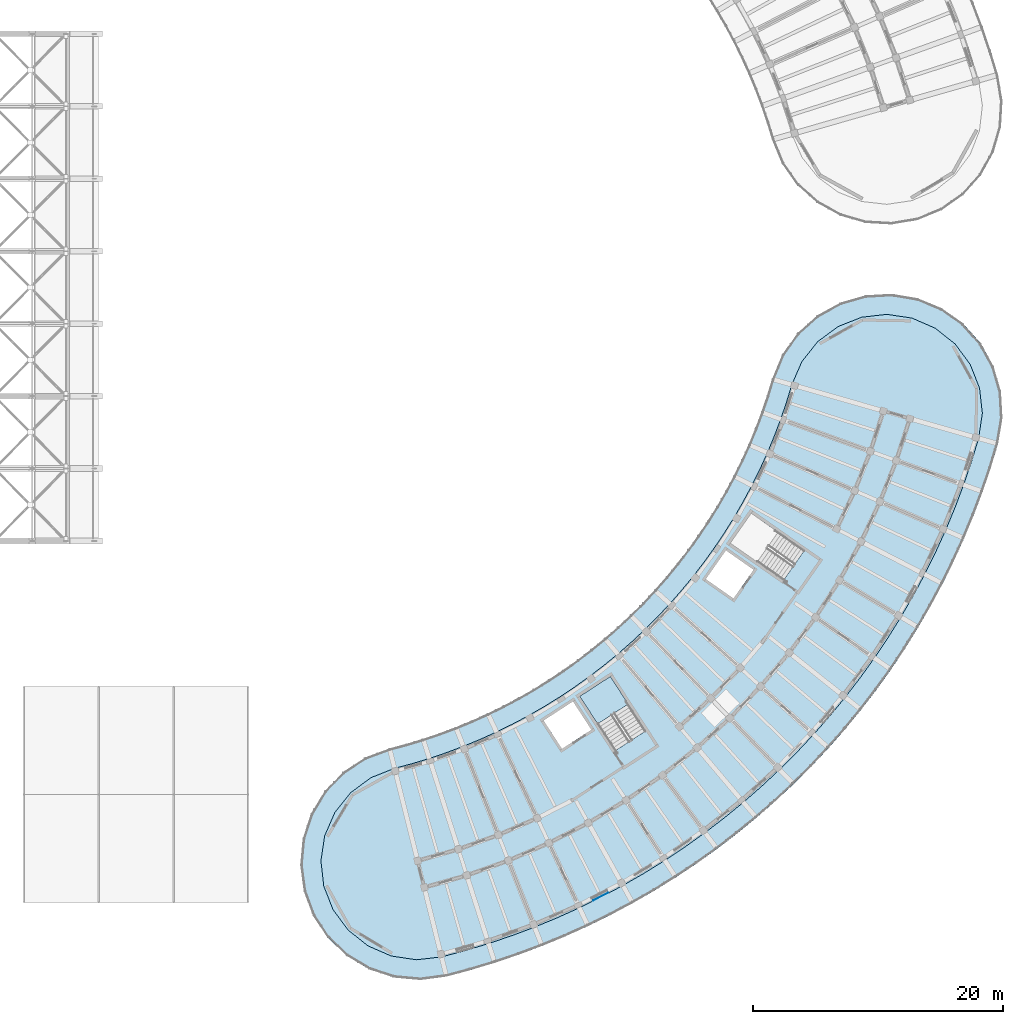
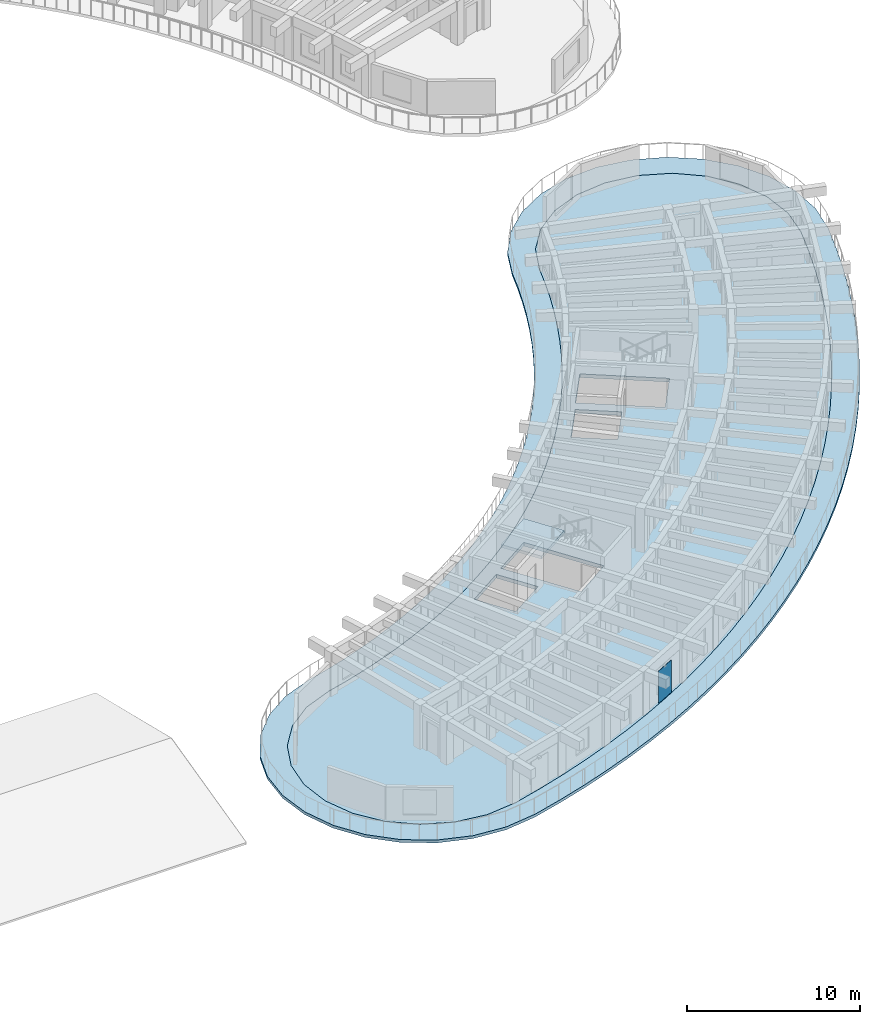
# One storey, part 30 of 81: 3 slabs, 1 plate, 1 element without a shape of its own.
"""IFC4 building model written with IfcOpenShell, lengths in metres."""

from ifc_helpers import new_model, si_unit, direction, frame, origin, origin_2d, place, context, subcontext, project, spatial, polyline, rectangle, outline, extrude, material, layer, layer_set, type_object, element, aggregate, save


model = new_model("IFC4")

# Units and contexts
model_context = context("Model", 3, precision=1e-05, world=origin(), true_north=direction((0.0, 1.0)))
body_context = subcontext(model_context, "Body", "Model", "MODEL_VIEW")
ifc_project = project(units=[si_unit("LENGTHUNIT", "METRE"), si_unit("AREAUNIT", "SQUARE_METRE"), si_unit("VOLUMEUNIT", "CUBIC_METRE"), si_unit("PLANEANGLEUNIT", "RADIAN"), si_unit("MASSUNIT", "GRAM", prefix="KILO")], contexts=[model_context])

# Site, building, storey
site_placement = place(None, origin())
site = spatial("IfcSite", under=ifc_project, at=site_placement, CompositionType="ELEMENT")
building_placement = place(site_placement, origin())
building = spatial("IfcBuilding", under=site, at=building_placement, Name="Tanwirah Colonnade Gardens", CompositionType="ELEMENT")
storey_placement = place(building_placement, frame((0.0, 0.0, 8.840087890625)))
storey = spatial("IfcBuildingStorey", under=building, at=storey_placement, Name="L02", CompositionType="ELEMENT", Elevation=8.840087890625)

# Plate
ifc_material_1 = material(Name="Laser-cut bronze aluminium solar screen plate", Category="aluminium")
ifc_layer_1 = layer(ifc_material_1, 0.02001953125)
ifc_layer_set_1 = layer_set([ifc_layer_1], Name="Laser-cut bronze aluminium solar screen plate")
plate_type = type_object("IfcPlateType", Name="PLT-SCR20", PredefinedType="SHEET", material=ifc_layer_set_1)
plate_placement = place(storey_placement, frame((148.1943359375, 11.316162109375, 0.0), z_axis=(0.0, 0.0, 1.0), x_axis=(0.890014924435, 0.455931392078, 0.0)))
element("IfcPlate", 1, at=plate_placement, inside=storey, type_object=plate_type, Name="Perforated solar screen plate D-L02-03", PredefinedType="SHEET", context=body_context, shape_type="SweptSolid", body=[
    extrude(rectangle(XDim=1.35009765625, YDim=0.02001953125, at=origin_2d()), origin(), (0.0, 0.0, 1.0), 2.284912109375),
])

# Slab
ifc_material_2 = material(Name="White architectural precast concrete C40/50", Category="concrete")
ifc_layer_2 = layer(ifc_material_2, 0.199951171875)
ifc_layer_set_2 = layer_set([ifc_layer_2], Name="White architectural precast concrete C40/50")
slab_type_1 = type_object("IfcSlabType", Name="SL-BAL-200", PredefinedType="FLOOR", material=ifc_layer_set_2)
slab_1_placement = place(storey_placement, frame((0.0, 0.0, -0.2001953125)))
element("IfcSlab", 2, at=slab_1_placement, inside=storey, type_object=slab_type_1, Name="Block D L02 Continuous White Balcony Ribbon", PredefinedType="FLOOR", context=body_context, shape_type="SweptSolid", body=[
    extrude(outline(polyline([(129.333251953125, 22.4306640625), (127.57373046875, 21.275390625), (126.115234375, 19.757568359375), (125.03125, 17.953369140625), (124.375732421875, 15.953125), (124.181884765625, 13.857177734375), (124.459228515625, 11.7705078125), (125.19384765625, 9.798095703125), (126.34912109375, 8.038330078125), (127.866943359375, 6.580078125), (129.671142578125, 5.495849609375), (131.67138671875, 4.84033203125), (133.767333984375, 4.646484375), (135.85400390625, 4.923828125), (137.79541015625, 5.441650390625), (139.71875, 6.02294921875), (141.6220703125, 6.666748046875), (143.503173828125, 7.372314453125), (145.3603515625, 8.13916015625), (147.19140625, 8.966552734375), (148.994384765625, 9.85302734375), (150.767333984375, 10.79833984375), (152.508544921875, 11.801025390625), (154.2158203125, 12.860107421875), (155.8876953125, 13.974609375), (157.522216796875, 15.143310546875), (159.117431640625, 16.364501953125), (160.672119140625, 17.637451171875), (162.18408203125, 18.960693359375), (163.652099609375, 20.33251953125), (165.07421875, 21.751708984375), (166.449462890625, 23.216796875), (167.77587890625, 24.725830078125), (169.05224609375, 26.277587890625), (170.277099609375, 27.870361328125), (171.44921875, 29.502197265625), (172.567138671875, 31.171630859375), (173.630126953125, 32.876708984375), (174.636474609375, 34.61572265625), (175.585693359375, 36.386474609375), (176.476318359375, 38.1875), (177.307373046875, 40.016845703125), (178.078369140625, 41.872314453125), (178.7880859375, 43.751953125), (179.43603515625, 45.65380859375), (180.021484375, 47.575927734375), (180.37158203125, 49.651611328125), (180.250732421875, 51.7529296875), (179.66552734375, 53.77490234375), (178.64501953125, 55.615966796875), (177.240478515625, 57.18359375), (175.522216796875, 58.399658203125), (173.57666015625, 59.20263671875), (171.5009765625, 59.552734375), (169.3994140625, 59.43212890625), (167.37744140625, 58.846923828125), (165.53662109375, 57.826416015625), (163.96875, 56.421875), (162.7529296875, 54.70361328125), (161.94970703125, 52.7578125), (161.543701171875, 51.42431640625), (161.093994140625, 50.104736328125), (160.6015625, 48.800537109375), (160.066650390625, 47.51318359375), (159.489990234375, 46.244140625), (158.8720703125, 44.99462890625), (158.213623046875, 43.765869140625), (157.515380859375, 42.559326171875), (156.77783203125, 41.37646484375), (156.002197265625, 40.218017578125), (155.18896484375, 39.0859375), (154.339111328125, 37.98095703125), (153.45361328125, 36.904296875), (152.533203125, 35.857177734375), (151.579345703125, 34.8408203125), (150.592529296875, 33.856201171875), (149.573974609375, 32.904296875), (148.52490234375, 31.986328125), (147.4462890625, 31.10302734375), (146.33935546875, 30.255615234375), (145.205322265625, 29.445068359375), (144.04541015625, 28.671630859375), (142.86083984375, 27.93701171875), (141.65283203125, 27.2412109375), (140.4228515625, 26.58544921875), (139.171875, 25.97021484375), (137.9013671875, 25.396240234375), (136.613037109375, 24.8642578125), (135.307861328125, 24.37451171875), (133.9873046875, 23.927978515625), (132.65283203125, 23.524658203125), (131.305908203125, 23.165283203125), (129.333251953125, 22.4306640625)]), holes=[polyline([(129.80810546875, 20.84912109375), (131.69921875, 21.593994140625), (133.095703125, 21.966552734375), (133.09619140625, 21.966552734375), (134.480712890625, 22.385009765625), (134.4814453125, 22.38525390625), (135.8515625, 22.8486328125), (135.85205078125, 22.848876953125), (137.206298828125, 23.35693359375), (137.20703125, 23.357177734375), (138.5439453125, 23.9091796875), (138.54443359375, 23.909423828125), (139.862548828125, 24.5048828125), (139.86328125, 24.505126953125), (141.1611328125, 25.1435546875), (141.16162109375, 25.143798828125), (142.43798828125, 25.82421875), (142.4384765625, 25.824462890625), (143.69189453125, 26.54638671875), (143.692626953125, 26.546630859375), (144.921630859375, 27.30908203125), (144.922119140625, 27.309326171875), (146.125732421875, 28.111572265625), (146.126220703125, 28.112060546875), (147.302734375, 28.953369140625), (147.30322265625, 28.95361328125), (148.45166015625, 29.8330078125), (148.452392578125, 29.833251953125), (149.5712890625, 30.749755859375), (149.57177734375, 30.75), (150.660400390625, 31.70263671875), (150.660888671875, 31.702880859375), (151.717529296875, 32.690673828125), (151.718017578125, 32.69091796875), (152.741943359375, 33.712646484375), (152.742431640625, 33.713134765625), (153.732177734375, 34.767578125), (153.732666015625, 34.76806640625), (154.6875, 35.8544921875), (154.68798828125, 35.85498046875), (155.606689453125, 36.97216796875), (155.607177734375, 36.97265625), (156.48876953125, 38.119140625), (156.4892578125, 38.11962890625), (157.3330078125, 39.29443359375), (157.33349609375, 39.294921875), (158.13818359375, 40.496826171875), (158.138671875, 40.497314453125), (158.90380859375, 41.724853515625), (158.904052734375, 41.725341796875), (159.628662109375, 42.97705078125), (159.62890625, 42.977783203125), (160.312255859375, 44.25244140625), (160.3125, 44.253173828125), (160.95361328125, 45.549560546875), (160.953857421875, 45.55029296875), (161.55224609375, 46.866943359375), (161.552490234375, 46.86767578125), (162.107421875, 48.203369140625), (162.107666015625, 48.203857421875), (162.61865234375, 49.55712890625), (162.618896484375, 49.5576171875), (163.08544921875, 50.9267578125), (163.08544921875, 50.92724609375), (163.506591796875, 52.309814453125), (164.31689453125, 54.173828125), (165.581298828125, 55.76318359375), (167.2138671875, 56.97119140625), (169.103515625, 57.715576171875), (171.121337890625, 57.945556640625), (173.130126953125, 57.645263671875), (174.992431640625, 56.83544921875), (176.58203125, 55.5712890625), (177.7900390625, 53.9384765625), (178.534423828125, 52.049072265625), (178.76416015625, 50.031005859375), (178.4638671875, 48.021240234375), (177.894287109375, 46.151123046875), (177.263427734375, 44.29931640625), (176.572509765625, 42.46923828125), (175.82177734375, 40.662841796875), (175.012451171875, 38.8818359375), (174.1455078125, 37.12841796875), (173.221435546875, 35.404052734375), (172.241455078125, 33.7109375), (171.20654296875, 32.051025390625), (170.1181640625, 30.425537109375), (168.976806640625, 28.836669921875), (167.784423828125, 27.2861328125), (166.541748046875, 25.775146484375), (165.250244140625, 24.305908203125), (163.911376953125, 22.879638671875), (162.526611328125, 21.497802734375), (161.097412109375, 20.162109375), (159.625244140625, 18.8740234375), (158.11181640625, 17.634521484375), (156.55859375, 16.445556640625), (154.96728515625, 15.3076171875), (153.33935546875, 14.22265625), (151.677001953125, 13.19140625), (149.98193359375, 12.21533203125), (148.255615234375, 11.294921875), (146.500244140625, 10.431640625), (144.717529296875, 9.626220703125), (142.909423828125, 8.879638671875), (141.077880859375, 8.192626953125), (139.224853515625, 7.565673828125), (137.352294921875, 7.0), (135.463134765625, 6.49609375), (133.444091796875, 6.265869140625), (131.435546875, 6.566162109375), (129.572998046875, 7.3759765625), (127.983642578125, 8.640380859375), (126.775634765625, 10.27294921875), (126.03125, 12.16259765625), (125.80126953125, 14.180419921875), (126.1015625, 16.18896484375), (126.911376953125, 18.051513671875), (128.175537109375, 19.640869140625), (129.80810546875, 20.84912109375)])]), origin(), (0.0, 0.0, 1.0), 0.2001953125),
])

# Stair, slab
ifc_material_3 = material(Name="Precast concrete C40/50", Category="concrete")
stair_type = type_object("IfcStairType", Name="ST-RES168", PredefinedType="HALF_TURN_STAIR", material=ifc_material_3)
stair_placement = place(storey_placement, origin())
stair = element("IfcStair", 3, at=stair_placement, inside=storey, type_object=stair_type, Name="L02 Block D Core 1 Exit Stair", PredefinedType="HALF_TURN_STAIR")
ifc_layer_3 = layer(ifc_material_3, 0.205078125)
ifc_layer_set_3 = layer_set([ifc_layer_3], Name="Precast concrete C40/50")
slab_type_2 = type_object("IfcSlabType", Name="SL-LND-205", PredefinedType="LANDING", material=ifc_layer_set_3)
slab_2_placement = place(storey_placement, frame((0.0, 0.0, 1.474853515625)))
slab_2 = element("IfcSlab", 4, at=slab_2_placement, type_object=slab_type_2, Name="ST-D1 landing 1", PredefinedType="LANDING", context=body_context, shape_type="SweptSolid", body=[
    extrude(outline(polyline([(150.40966796875, 26.740966796875), (148.974609375, 28.950927734375), (146.525634765625, 27.360595703125), (147.960693359375, 25.150634765625), (150.40966796875, 26.740966796875)])), origin(), (0.0, 0.0, 1.0), 0.205078125),
])
aggregate(stair, [slab_2])

# Slab
ifc_layer_4 = layer(ifc_material_3, 0.2548828125)
ifc_layer_set_4 = layer_set([ifc_layer_4], Name="Precast concrete C40/50")
slab_type_3 = type_object("IfcSlabType", Name="SL-RES-255", PredefinedType="FLOOR", material=ifc_layer_set_4)
slab_3_placement = place(storey_placement, frame((0.0, 0.0, -0.255126953125)))
element("IfcSlab", 5, at=slab_3_placement, inside=storey, type_object=slab_type_3, Name="Block D L02 Precast Composite Floor Slab", PredefinedType="FLOOR", context=body_context, shape_type="SweptSolid", body=[
    extrude(outline(polyline([(134.47509765625, 22.404052734375), (133.09033203125, 21.98583984375), (131.69287109375, 21.613037109375), (129.79833984375, 20.86669921875), (128.16162109375, 19.655517578125), (126.89404296875, 18.06201171875), (126.08203125, 16.194580078125), (125.781005859375, 14.1806640625), (126.01171875, 12.15771484375), (126.7578125, 10.26318359375), (127.968994140625, 8.626220703125), (129.562744140625, 7.358642578125), (131.429931640625, 6.546875), (133.44384765625, 6.245849609375), (135.467041015625, 6.476318359375), (137.357666015625, 6.980712890625), (139.23095703125, 7.546630859375), (141.08447265625, 8.173828125), (142.916748046875, 8.861083984375), (144.7255859375, 9.60791015625), (146.5087890625, 10.41357421875), (148.264892578125, 11.277099609375), (149.99169921875, 12.19775390625), (151.687255859375, 13.17431640625), (153.350341796875, 14.205810546875), (154.978515625, 15.291259765625), (156.5703125, 16.429443359375), (158.124267578125, 17.618896484375), (159.63818359375, 18.858642578125), (161.11083984375, 20.1474609375), (162.54052734375, 21.4833984375), (163.92578125, 22.86572265625), (165.26513671875, 24.29248046875), (166.556884765625, 25.76220703125), (167.800048828125, 27.273681640625), (168.992919921875, 28.82470703125), (170.134521484375, 30.414306640625), (171.223388671875, 32.0400390625), (172.258544921875, 33.70068359375), (173.23876953125, 35.394287109375), (174.163330078125, 37.119140625), (175.030517578125, 38.873291015625), (175.840087890625, 40.65478515625), (176.591064453125, 42.4619140625), (177.2822265625, 44.29248046875), (177.913330078125, 46.14501953125), (178.4833984375, 48.016845703125), (178.784423828125, 50.03076171875), (178.553955078125, 52.053955078125), (177.8076171875, 53.948486328125), (176.596435546875, 55.585205078125), (175.0029296875, 56.852783203125), (173.135498046875, 57.664794921875), (171.121826171875, 57.965576171875), (169.0986328125, 57.735107421875), (167.2041015625, 56.98876953125), (165.5673828125, 55.777587890625), (164.2998046875, 54.18408203125), (163.48779296875, 52.31689453125), (163.06640625, 50.93310546875), (162.60009765625, 49.56396484375), (162.089111328125, 48.2109375), (161.533935546875, 46.875244140625), (160.935791015625, 45.55859375), (160.294677734375, 44.261962890625), (159.611328125, 42.987060546875), (158.88671875, 41.7353515625), (158.12158203125, 40.5078125), (157.31689453125, 39.30615234375), (156.47314453125, 38.13134765625), (155.59130859375, 36.98486328125), (154.672607421875, 35.86767578125), (153.717529296875, 34.781494140625), (152.727783203125, 33.726806640625), (151.703857421875, 32.705078125), (150.647216796875, 31.717529296875), (149.55859375, 30.76513671875), (148.439697265625, 29.848876953125), (147.291259765625, 28.969482421875), (146.114501953125, 28.12841796875), (144.9111328125, 27.326171875), (143.681884765625, 26.563720703125), (142.428466796875, 25.841796875), (141.15234375, 25.161376953125), (139.854248046875, 24.523193359375), (138.5361328125, 23.927490234375), (137.199462890625, 23.37548828125), (135.84521484375, 22.867431640625), (134.47509765625, 22.404052734375)]), holes=[polyline([(149.358642578125, 23.003662109375), (146.528076171875, 27.3623046875), (148.971923828125, 28.94921875), (151.802490234375, 24.5908203125), (149.358642578125, 23.003662109375)]), polyline([(143.63427734375, 25.42333984375), (145.982666015625, 26.9482421875), (147.453125, 24.683837890625), (145.104736328125, 23.158935546875), (143.63427734375, 25.42333984375)]), polyline([(160.252685546875, 42.016357421875), (164.509765625, 39.03564453125), (162.83837890625, 36.648681640625), (158.581298828125, 39.62939453125), (160.252685546875, 42.016357421875)]), polyline([(160.442138671875, 37.49267578125), (158.836181640625, 35.198974609375), (156.62451171875, 36.74755859375), (158.23046875, 39.041259765625), (160.442138671875, 37.49267578125)])]), origin(), (0.0, 0.0, 1.0), 0.255126953125),
])

save(model, "model.ifc")
